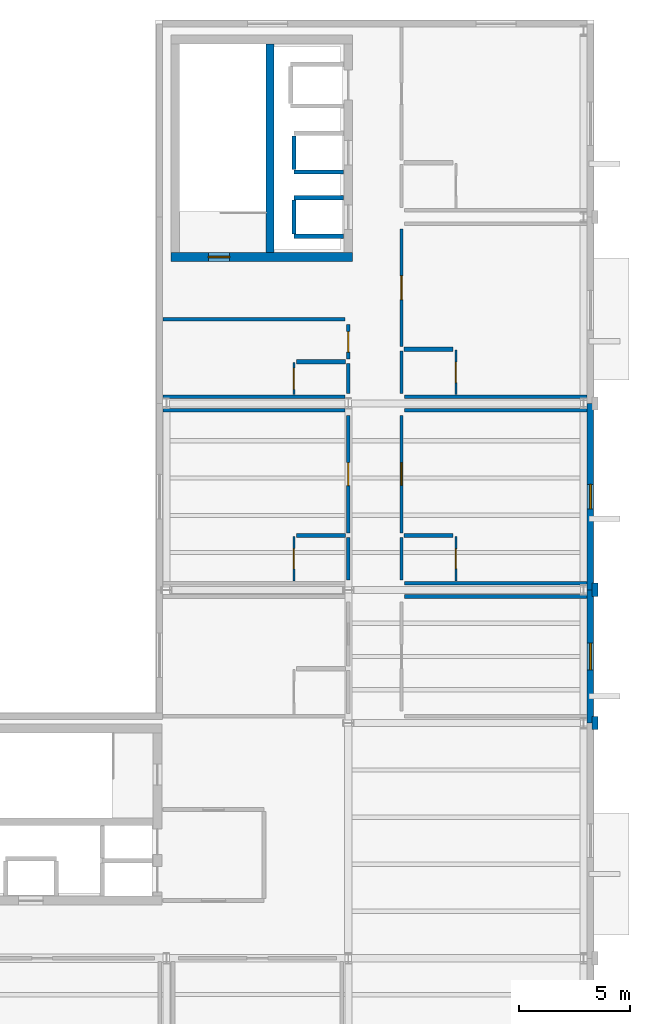
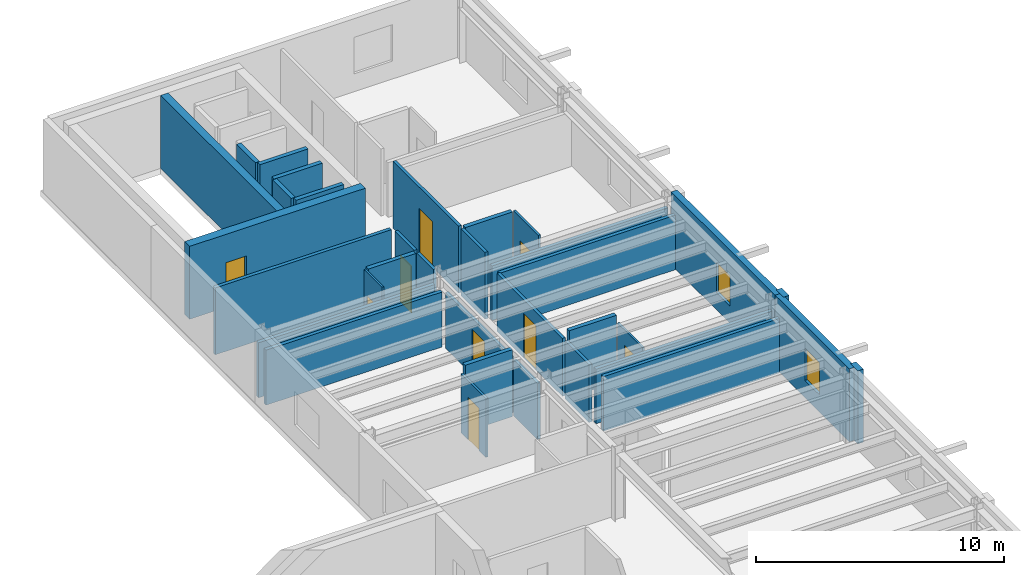
# One storey, part 16 of 19: 34 walls, 9 doors, 2 windows, 11 openings.
"""IFC4 building model written with IfcOpenShell, lengths in metres."""

from ifc_helpers import new_model, si_unit, direction, frame, frame_2d, origin, place, context, subcontext, project, spatial, rectangle, extrude, material, layer, layer_set, type_object, element, fill, save


model = new_model("IFC4")

# Units and contexts
model_context = context("Model", 3, precision=1e-05, world=origin(), true_north=direction((0.0, 1.0)))
body_context = subcontext(model_context, "Body", "Model", "MODEL_VIEW")
ifc_project = project(units=[si_unit("LENGTHUNIT", "METRE"), si_unit("AREAUNIT", "SQUARE_METRE"), si_unit("VOLUMEUNIT", "CUBIC_METRE"), si_unit("PLANEANGLEUNIT", "RADIAN"), si_unit("MASSUNIT", "GRAM", prefix="KILO")], contexts=[model_context])

# Site, building, storey
site_placement = place(None, origin())
site = spatial("IfcSite", under=ifc_project, at=site_placement, CompositionType="ELEMENT")
building_placement = place(site_placement, origin())
building = spatial("IfcBuilding", under=site, at=building_placement, Name="Sollismere Congress Hotel", CompositionType="ELEMENT")
storey_placement = place(building_placement, frame((0.0, 0.0, 44.60009765625)))
storey = spatial("IfcBuildingStorey", under=building, at=storey_placement, Name="L11", CompositionType="ELEMENT", Elevation=44.60009765625)

# Wall, opening, window
ifc_material_1 = material(Name="Colorado Buff Sandstone Rainscreen on Insulated Backup", Category="masonry")
ifc_layer_1 = layer(ifc_material_1, 0.284912109375, Name="Colorado Buff Sandstone Rainscreen on Insulated Backup")
ifc_layer_set_1 = layer_set([ifc_layer_1], Name="Colorado Buff Sandstone Rainscreen on Insulated Backup")
wall_type_1 = type_object("IfcWallType", Name="WL-EXT285", PredefinedType="STANDARD", material=ifc_layer_set_1)
wall_1_placement = place(storey_placement, frame((166.31005859375, 18.800048828125, 0.0), z_axis=(0.0, 0.0, 1.0), x_axis=(0.0, 1.0, 0.0)))
wall_1 = element("IfcWall", 1, at=wall_1_placement, inside=storey, type_object=wall_type_1, Name="Exterior wall EW-L11-1011", PredefinedType="STANDARD", context=body_context, shape_type="SweptSolid", body=[
    extrude(rectangle(XDim=6.0, YDim=0.284912109375, at=frame_2d((3.0, 0.0))), origin(), (0.0, 0.0, 1.0), 3.599853515625),
])
opening_1_placement = place(wall_1_placement, frame((2.39990234375, 0.0, 0.85009765625)))
opening_1 = element("IfcOpeningElement", 2, at=opening_1_placement, cuts=wall_1, Name="Opening W-L11-720", PredefinedType="OPENING", context=body_context, shape_type="SweptSolid", body=[
    extrude(rectangle(XDim=1.199951171875, YDim=1.60009765625, at=frame_2d((0.60009765625, 0.800048828125))), frame((0.0, 0.15234375, 0.0), z_axis=(0.0, -1.0, 0.0), x_axis=(1.0, 0.0, 0.0)), (0.0, 0.0, 1.0), 0.304931640625),
])
ifc_material_2 = material(Name="Thermally Broken Bronze Aluminum & Low-E Glass", Category="aluminium")
window_type_1 = type_object("IfcWindowType", Name="WN-P120x160", PartitioningType="SINGLE_PANEL", PredefinedType="WINDOW", material=ifc_material_2)
window_1_placement = place(opening_1_placement, origin())
window_1 = element("IfcWindow", 3, at=window_1_placement, inside=storey, type_object=window_type_1, Name="WIN-W-L11-720", OverallHeight=1.60009765625, OverallWidth=1.199951171875, PartitioningType="SINGLE_PANEL", PredefinedType="WINDOW", context=body_context, shape_type="SweptSolid", body=[
    extrude(rectangle(XDim=1.199951171875, YDim=1.60009765625, at=frame_2d((0.60009765625, 0.800048828125))), frame((0.0, 0.030029296875, 0.0), z_axis=(0.0, -1.0, 0.0), x_axis=(1.0, 0.0, 0.0)), (0.0, 0.0, 1.0), 0.06005859375),
])
fill(opening_1, window_1)

wall_2_placement = place(storey_placement, frame((166.31005859375, 24.800048828125, 0.0), z_axis=(0.0, 0.0, 1.0), x_axis=(0.0, 1.0, 0.0)))
wall_2 = element("IfcWall", 4, at=wall_2_placement, inside=storey, type_object=wall_type_1, Name="Exterior wall EW-L11-1013", PredefinedType="STANDARD", context=body_context, shape_type="SweptSolid", body=[
    extrude(rectangle(XDim=8.39990234375, YDim=0.284912109375, at=frame_2d((4.199951171875, 0.0))), origin(), (0.0, 0.0, 1.0), 3.599853515625),
])
opening_2_placement = place(wall_2_placement, frame((3.64990234375, 0.0, 0.85009765625)))
opening_2 = element("IfcOpeningElement", 5, at=opening_2_placement, cuts=wall_2, Name="Opening W-L11-721", PredefinedType="OPENING", context=body_context, shape_type="SweptSolid", body=[
    extrude(rectangle(XDim=1.10009765625, YDim=1.5, at=frame_2d((0.550048828125, 0.75))), frame((0.0, 0.15234375, 0.0), z_axis=(0.0, -1.0, 0.0), x_axis=(1.0, 0.0, 0.0)), (0.0, 0.0, 1.0), 0.304931640625),
])
window_type_2 = type_object("IfcWindowType", Name="WN-P110x150", PartitioningType="SINGLE_PANEL", PredefinedType="WINDOW", material=ifc_material_2)
window_2_placement = place(opening_2_placement, origin())
window_2 = element("IfcWindow", 6, at=window_2_placement, inside=storey, type_object=window_type_2, Name="WIN-W-L11-721", OverallHeight=1.5, OverallWidth=1.10009765625, PartitioningType="SINGLE_PANEL", PredefinedType="WINDOW", context=body_context, shape_type="SweptSolid", body=[
    extrude(rectangle(XDim=1.10009765625, YDim=1.5, at=frame_2d((0.550048828125, 0.75))), frame((0.0, 0.030029296875, 0.0), z_axis=(0.0, -1.0, 0.0), x_axis=(1.0, 0.0, 0.0)), (0.0, 0.0, 1.0), 0.06005859375),
])
fill(opening_2, window_2)

# Walls
ifc_material_3 = material(Name="Carved Travertine Pilaster & Frieze Assembly", Category="masonry")
ifc_layer_2 = layer(ifc_material_3, 0.260009765625, Name="Carved Travertine Pilaster & Frieze Assembly")
ifc_layer_set_2 = layer_set([ifc_layer_2], Name="Carved Travertine Pilaster & Frieze Assembly")
wall_type_2 = type_object("IfcWallType", Name="WL-PIL280", PredefinedType="ELEMENTEDWALL", material=ifc_layer_set_2)
for number, where, z_axis, x_axis, name in (
    (7, (166.52001953125, 18.5, 0.0), (0.0, 0.0, 1.0), (0.0, 1.0, 0.0), "Exterior wall EW-L11-1012"),
    (8, (166.52001953125, 24.5, 0.0), (0.0, 0.0, 1.0), (0.0, 1.0, 0.0), "Exterior wall EW-L11-1014"),
):
    element("IfcWall", number, at=place(storey_placement, frame(where, z_axis=z_axis, x_axis=x_axis)), inside=storey, type_object=wall_type_2, Name=name, PredefinedType="ELEMENTEDWALL", context=body_context, shape_type="SweptSolid", body=[
        extrude(rectangle(XDim=0.60009765625, YDim=0.260009765625, at=frame_2d((0.300048828125, 0.0))), origin(), (0.0, 0.0, 1.0), 3.599853515625),
    ])
ifc_material_4 = material(Name="Moisture-Resistant Shaft Gypsum Assembly")
ifc_layer_3 = layer(ifc_material_4, 0.199951171875, Name="Moisture-Resistant Shaft Gypsum Assembly")
ifc_layer_set_3 = layer_set([ifc_layer_3], Name="Moisture-Resistant Shaft Gypsum Assembly")
wall_type_3 = type_object("IfcWallType", Name="WL-PLM200", PredefinedType="PLUMBINGWALL", material=ifc_layer_set_3)
for number, where, z_axis, x_axis, name in (
    (9, (152.955078125, 40.72998046875, 0.0), (0.0, 0.0, 1.0), (1.0, 0.0, 0.0), "Interior wall IW-L11-0551"),
    (10, (152.955078125, 42.469970703125, 0.0), (0.0, 0.0, 1.0), (1.0, 0.0, 0.0), "Interior wall IW-L11-0552"),
):
    element("IfcWall", number, at=place(storey_placement, frame(where, z_axis=z_axis, x_axis=x_axis)), inside=storey, type_object=wall_type_3, Name=name, PredefinedType="PLUMBINGWALL", context=body_context, shape_type="SweptSolid", body=[
        extrude(rectangle(XDim=2.23291015625, YDim=0.199951171875, at=frame_2d((1.116455078125, 0.0))), origin(), (0.0, 0.0, 1.0), 3.2998046875),
    ])
wall_3_placement = place(storey_placement, frame((152.955078125, 40.842041015625, 0.0), z_axis=(0.0, 0.0, 1.0), x_axis=(0.0, 1.0, 0.0)))
element("IfcWall", 11, at=wall_3_placement, inside=storey, type_object=wall_type_3, Name="Interior wall IW-L11-0553", PredefinedType="PLUMBINGWALL", context=body_context, shape_type="SweptSolid", body=[
    extrude(rectangle(XDim=1.515869140625, YDim=0.199951171875, at=frame_2d((0.7578125, 0.0))), origin(), (0.0, 0.0, 1.0), 3.2998046875),
])
wall_4_placement = place(storey_placement, frame((152.955078125, 43.6298828125, 0.0), z_axis=(0.0, 0.0, 1.0), x_axis=(1.0, 0.0, 0.0)))
element("IfcWall", 12, at=wall_4_placement, inside=storey, type_object=wall_type_3, Name="Interior wall IW-L11-0554", PredefinedType="PLUMBINGWALL", context=body_context, shape_type="SweptSolid", body=[
    extrude(rectangle(XDim=2.23291015625, YDim=0.199951171875, at=frame_2d((1.116455078125, 0.0))), origin(), (0.0, 0.0, 1.0), 3.2998046875),
])
wall_5_placement = place(storey_placement, frame((152.955078125, 43.741943359375, 0.0), z_axis=(0.0, 0.0, 1.0), x_axis=(0.0, 1.0, 0.0)))
element("IfcWall", 13, at=wall_5_placement, inside=storey, type_object=wall_type_3, Name="Interior wall IW-L11-0556", PredefinedType="PLUMBINGWALL", context=body_context, shape_type="SweptSolid", body=[
    extrude(rectangle(XDim=1.51611328125, YDim=0.199951171875, at=frame_2d((0.758056640625, 0.0))), origin(), (0.0, 0.0, 1.0), 3.2998046875),
])
for number, where, z_axis, x_axis, name in (
    (14, (157.919921875, 27.25, 0.0), (0.0, 0.0, 1.0), (1.0, 0.0, 0.0), "Interior wall IW-L11-2951"),
    (15, (153.070068359375, 27.25, 0.0), (0.0, 0.0, 1.0), (1.0, 0.0, 0.0), "Interior wall IW-L11-2957"),
    (16, (157.919921875, 35.64990234375, 0.0), (0.0, 0.0, 1.0), (1.0, 0.0, 0.0), "Interior wall IW-L11-2963"),
    (17, (153.070068359375, 35.074951171875, 0.0), (0.0, 0.0, 1.0), (1.0, 0.0, 0.0), "Interior wall IW-L11-2969"),
):
    element("IfcWall", number, at=place(storey_placement, frame(where, z_axis=z_axis, x_axis=x_axis)), inside=storey, type_object=wall_type_3, Name=name, PredefinedType="PLUMBINGWALL", context=body_context, shape_type="SweptSolid", body=[
        extrude(rectangle(XDim=2.2099609375, YDim=0.199951171875, at=frame_2d((1.10498046875, 0.0))), origin(), (0.0, 0.0, 1.0), 3.2998046875),
    ])

# Wall, opening, door
ifc_material_5 = material(Name="Moisture-Resistant Gypsum Partition")
ifc_layer_4 = layer(ifc_material_5, 0.10009765625, Name="Moisture-Resistant Gypsum Partition")
ifc_layer_set_4 = layer_set([ifc_layer_4], Name="Moisture-Resistant Gypsum Partition")
wall_type_4 = type_object("IfcWallType", Name="WL-PRT100", PredefinedType="PARTITIONING", material=ifc_layer_set_4)
wall_6_placement = place(storey_placement, frame((160.25, 25.194580078125, 0.0), z_axis=(0.0, 0.0, 1.0), x_axis=(0.0, 1.0, 0.0)))
wall_6 = element("IfcWall", 18, at=wall_6_placement, inside=storey, type_object=wall_type_4, Name="Interior wall IW-L11-2952", PredefinedType="PARTITIONING", context=body_context, shape_type="SweptSolid", body=[
    extrude(rectangle(XDim=2.015380859375, YDim=0.10009765625, at=frame_2d((1.0078125, 0.0))), origin(), (0.0, 0.0, 1.0), 2.85791015625),
])
opening_3_placement = place(wall_6_placement, frame((0.568115234375, 0.0, 0.0)))
opening_3 = element("IfcOpeningElement", 19, at=opening_3_placement, cuts=wall_6, Name="Opening D-L11-1043", PredefinedType="OPENING", context=body_context, shape_type="SweptSolid", body=[
    extrude(rectangle(XDim=0.8798828125, YDim=2.10009765625, at=frame_2d((0.43994140625, 1.050048828125))), frame((0.0, 0.06005859375, 0.0), z_axis=(0.0, -1.0, 0.0), x_axis=(1.0, 0.0, 0.0)), (0.0, 0.0, 1.0), 0.1201171875),
])
ifc_material_6 = material(Name="Moisture-Sealed Timber Bathroom Door", Category="wood")
door_type_1 = type_object("IfcDoorType", Name="DR-BT01", OperationType="NOTDEFINED", PredefinedType="DOOR", material=ifc_material_6)
door_1_placement = place(opening_3_placement, origin())
door_1 = element("IfcDoor", 20, at=door_1_placement, inside=storey, type_object=door_type_1, Name="En-suite bathroom door D-L11-1043", OperationType="SINGLE_SWING_RIGHT", OverallHeight=2.10009765625, OverallWidth=0.8798828125, PredefinedType="DOOR", context=body_context, shape_type="SweptSolid", body=[
    extrude(rectangle(XDim=0.8798828125, YDim=2.10009765625, at=frame_2d((0.43994140625, 1.050048828125))), frame((0.0, 0.02490234375, 0.0), z_axis=(0.0, -1.0, 0.0), x_axis=(1.0, 0.0, 0.0)), (0.0, 0.0, 1.0), 0.050048828125),
])
fill(opening_3, door_1)

wall_7_placement = place(storey_placement, frame((152.949951171875, 25.194580078125, 0.0), z_axis=(0.0, 0.0, 1.0), x_axis=(0.0, 1.0, 0.0)))
wall_7 = element("IfcWall", 21, at=wall_7_placement, inside=storey, type_object=wall_type_4, Name="Interior wall IW-L11-2958", PredefinedType="PARTITIONING", context=body_context, shape_type="SweptSolid", body=[
    extrude(rectangle(XDim=2.015380859375, YDim=0.10009765625, at=frame_2d((1.0078125, 0.0))), origin(), (0.0, 0.0, 1.0), 2.907958984375),
])
opening_4_placement = place(wall_7_placement, frame((0.554931640625, 0.0, 0.0)))
opening_4 = element("IfcOpeningElement", 22, at=opening_4_placement, cuts=wall_7, Name="Opening D-L11-1045", PredefinedType="OPENING", context=body_context, shape_type="SweptSolid", body=[
    extrude(rectangle(XDim=0.905029296875, YDim=2.10009765625, at=frame_2d((0.45263671875, 1.050048828125))), frame((0.0, 0.06005859375, 0.0), z_axis=(0.0, -1.0, 0.0), x_axis=(1.0, 0.0, 0.0)), (0.0, 0.0, 1.0), 0.1201171875),
])
door_type_2 = type_object("IfcDoorType", Name="DR-BT02", OperationType="NOTDEFINED", PredefinedType="DOOR", material=ifc_material_6)
door_2_placement = place(opening_4_placement, origin())
door_2 = element("IfcDoor", 23, at=door_2_placement, inside=storey, type_object=door_type_2, Name="En-suite bathroom door D-L11-1045", OperationType="SINGLE_SWING_RIGHT", OverallHeight=2.10009765625, OverallWidth=0.905029296875, PredefinedType="DOOR", context=body_context, shape_type="SweptSolid", body=[
    extrude(rectangle(XDim=0.905029296875, YDim=2.10009765625, at=frame_2d((0.45263671875, 1.050048828125))), frame((0.0, 0.02490234375, 0.0), z_axis=(0.0, -1.0, 0.0), x_axis=(1.0, 0.0, 0.0)), (0.0, 0.0, 1.0), 0.050048828125),
])
fill(opening_4, door_2)

wall_8_placement = place(storey_placement, frame((160.25, 33.594482421875, 0.0), z_axis=(0.0, 0.0, 1.0), x_axis=(0.0, 1.0, 0.0)))
wall_8 = element("IfcWall", 24, at=wall_8_placement, inside=storey, type_object=wall_type_4, Name="Interior wall IW-L11-2964", PredefinedType="PARTITIONING", context=body_context, shape_type="SweptSolid", body=[
    extrude(rectangle(XDim=2.015625, YDim=0.10009765625, at=frame_2d((1.0078125, 0.0))), origin(), (0.0, 0.0, 1.0), 3.2998046875),
])
opening_5_placement = place(wall_8_placement, frame((0.54296875, 0.0, 0.0)))
opening_5 = element("IfcOpeningElement", 25, at=opening_5_placement, cuts=wall_8, Name="Opening D-L11-1047", PredefinedType="OPENING", context=body_context, shape_type="SweptSolid", body=[
    extrude(rectangle(XDim=0.929931640625, YDim=2.139892578125, at=frame_2d((0.46484375, 1.06982421875))), frame((0.0, 0.06005859375, 0.0), z_axis=(0.0, -1.0, 0.0), x_axis=(1.0, 0.0, 0.0)), (0.0, 0.0, 1.0), 0.1201171875),
])
door_type_3 = type_object("IfcDoorType", Name="DR-BT03", OperationType="NOTDEFINED", PredefinedType="DOOR", material=ifc_material_6)
door_3_placement = place(opening_5_placement, origin())
door_3 = element("IfcDoor", 26, at=door_3_placement, inside=storey, type_object=door_type_3, Name="En-suite bathroom door D-L11-1047", OperationType="SINGLE_SWING_RIGHT", OverallHeight=2.139892578125, OverallWidth=0.929931640625, PredefinedType="DOOR", context=body_context, shape_type="SweptSolid", body=[
    extrude(rectangle(XDim=0.929931640625, YDim=2.139892578125, at=frame_2d((0.46484375, 1.06982421875))), frame((0.0, 0.02490234375, 0.0), z_axis=(0.0, -1.0, 0.0), x_axis=(1.0, 0.0, 0.0)), (0.0, 0.0, 1.0), 0.050048828125),
])
fill(opening_5, door_3)

wall_9_placement = place(storey_placement, frame((152.949951171875, 33.594482421875, 0.0), z_axis=(0.0, 0.0, 1.0), x_axis=(0.0, 1.0, 0.0)))
wall_9 = element("IfcWall", 27, at=wall_9_placement, inside=storey, type_object=wall_type_4, Name="Interior wall IW-L11-2970", PredefinedType="PARTITIONING", context=body_context, shape_type="SweptSolid", body=[
    extrude(rectangle(XDim=1.4404296875, YDim=0.10009765625, at=frame_2d((0.72021484375, 0.0))), origin(), (0.0, 0.0, 1.0), 3.2998046875),
])
opening_6_placement = place(wall_9_placement, frame((0.242919921875, 0.0, 0.0)))
opening_6 = element("IfcOpeningElement", 28, at=opening_6_placement, cuts=wall_9, Name="Opening D-L11-1049", PredefinedType="OPENING", context=body_context, shape_type="SweptSolid", body=[
    extrude(rectangle(XDim=0.955078125, YDim=2.139892578125, at=frame_2d((0.4775390625, 1.06982421875))), frame((0.0, 0.06005859375, 0.0), z_axis=(0.0, -1.0, 0.0), x_axis=(1.0, 0.0, 0.0)), (0.0, 0.0, 1.0), 0.1201171875),
])
door_type_4 = type_object("IfcDoorType", Name="DR-BT04", OperationType="NOTDEFINED", PredefinedType="DOOR", material=ifc_material_6)
door_4_placement = place(opening_6_placement, origin())
door_4 = element("IfcDoor", 29, at=door_4_placement, inside=storey, type_object=door_type_4, Name="En-suite bathroom door D-L11-1049", OperationType="SINGLE_SWING_RIGHT", OverallHeight=2.139892578125, OverallWidth=0.955078125, PredefinedType="DOOR", context=body_context, shape_type="SweptSolid", body=[
    extrude(rectangle(XDim=0.955078125, YDim=2.139892578125, at=frame_2d((0.4775390625, 1.06982421875))), frame((0.0, 0.02490234375, 0.0), z_axis=(0.0, -1.0, 0.0), x_axis=(1.0, 0.0, 0.0)), (0.0, 0.0, 1.0), 0.050048828125),
])
fill(opening_6, door_4)

# Wall
ifc_material_7 = material(Name="Fire-Rated Gypsum Partition")
ifc_layer_5 = layer(ifc_material_7, 0.139892578125, Name="Fire-Rated Gypsum Partition")
ifc_layer_set_5 = layer_set([ifc_layer_5], Name="Fire-Rated Gypsum Partition")
wall_type_5 = type_object("IfcWallType", Name="WL-PRT140R", PredefinedType="PARTITIONING", material=ifc_layer_set_5)
wall_10_placement = place(storey_placement, frame((157.800048828125, 25.239990234375, 0.0), z_axis=(0.0, 0.0, 1.0), x_axis=(0.0, 1.0, 0.0)))
element("IfcWall", 30, at=wall_10_placement, inside=storey, type_object=wall_type_5, Name="Interior wall IW-L11-2947", PredefinedType="PARTITIONING", context=body_context, shape_type="SweptSolid", body=[
    extrude(rectangle(XDim=1.929931640625, YDim=0.139892578125, at=frame_2d((0.96484375, 0.0))), origin(), (0.0, 0.0, 1.0), 2.85791015625),
])

# Wall, opening, door
wall_11_placement = place(storey_placement, frame((157.800048828125, 27.3701171875, 0.0), z_axis=(0.0, 0.0, 1.0), x_axis=(0.0, 1.0, 0.0)))
wall_11 = element("IfcWall", 31, at=wall_11_placement, inside=storey, type_object=wall_type_5, Name="Interior wall IW-L11-2948", PredefinedType="PARTITIONING", context=body_context, shape_type="SweptSolid", body=[
    extrude(rectangle(XDim=5.289794921875, YDim=0.139892578125, at=frame_2d((2.64501953125, 0.0))), origin(), (0.0, 0.0, 1.0), 2.85791015625),
])
opening_7_placement = place(wall_11_placement, frame((2.139892578125, 0.0, 0.0)))
opening_7 = element("IfcOpeningElement", 32, at=opening_7_placement, cuts=wall_11, Name="Opening D-L11-1042", PredefinedType="OPENING", context=body_context, shape_type="SweptSolid", body=[
    extrude(rectangle(XDim=1.010009765625, YDim=2.199951171875, at=frame_2d((0.5048828125, 1.10009765625))), frame((0.0, 0.079833984375, 0.0), z_axis=(0.0, -1.0, 0.0), x_axis=(1.0, 0.0, 0.0)), (0.0, 0.0, 1.0), 0.159912109375),
])
ifc_material_8 = material(Name="Solid-Core Acoustic Walnut Guestroom Entry Door")
door_type_5 = type_object("IfcDoorType", Name="DR-KY04", OperationType="NOTDEFINED", PredefinedType="DOOR", material=ifc_material_8)
door_5_placement = place(opening_7_placement, origin())
door_5 = element("IfcDoor", 33, at=door_5_placement, inside=storey, type_object=door_type_5, Name="Hotel room entry door D-L11-1042", OperationType="SINGLE_SWING_LEFT", OverallHeight=2.199951171875, OverallWidth=1.010009765625, PredefinedType="DOOR", context=body_context, shape_type="SweptSolid", body=[
    extrude(rectangle(XDim=1.010009765625, YDim=2.199951171875, at=frame_2d((0.5048828125, 1.10009765625))), frame((0.0, 0.02490234375, 0.0), z_axis=(0.0, -1.0, 0.0), x_axis=(1.0, 0.0, 0.0)), (0.0, 0.0, 1.0), 0.050048828125),
])
fill(opening_7, door_5)

# Wall
wall_12_placement = place(storey_placement, frame((155.39990234375, 25.239990234375, 0.0), z_axis=(0.0, 0.0, 1.0), x_axis=(0.0, 1.0, 0.0)))
element("IfcWall", 34, at=wall_12_placement, inside=storey, type_object=wall_type_5, Name="Interior wall IW-L11-2953", PredefinedType="PARTITIONING", context=body_context, shape_type="SweptSolid", body=[
    extrude(rectangle(XDim=1.929931640625, YDim=0.139892578125, at=frame_2d((0.96484375, 0.0))), origin(), (0.0, 0.0, 1.0), 2.77392578125),
])

# Wall, opening, door
wall_13_placement = place(storey_placement, frame((155.39990234375, 27.3701171875, 0.0), z_axis=(0.0, 0.0, 1.0), x_axis=(0.0, 1.0, 0.0)))
wall_13 = element("IfcWall", 35, at=wall_13_placement, inside=storey, type_object=wall_type_5, Name="Interior wall IW-L11-2954", PredefinedType="PARTITIONING", context=body_context, shape_type="SweptSolid", body=[
    extrude(rectangle(XDim=5.289794921875, YDim=0.139892578125, at=frame_2d((2.64501953125, 0.0))), origin(), (0.0, 0.0, 1.0), 2.77392578125),
])
opening_8_placement = place(wall_13_placement, frame((2.125, 0.0, 0.0)))
opening_8 = element("IfcOpeningElement", 36, at=opening_8_placement, cuts=wall_13, Name="Opening D-L11-1044", PredefinedType="OPENING", context=body_context, shape_type="SweptSolid", body=[
    extrude(rectangle(XDim=1.0400390625, YDim=2.25, at=frame_2d((0.52001953125, 1.125))), frame((0.0, 0.079833984375, 0.0), z_axis=(0.0, -1.0, 0.0), x_axis=(1.0, 0.0, 0.0)), (0.0, 0.0, 1.0), 0.159912109375),
])
door_type_6 = type_object("IfcDoorType", Name="DR-KY05", OperationType="NOTDEFINED", PredefinedType="DOOR", material=ifc_material_8)
door_6_placement = place(opening_8_placement, origin())
door_6 = element("IfcDoor", 37, at=door_6_placement, inside=storey, type_object=door_type_6, Name="Hotel room entry door D-L11-1044", OperationType="SINGLE_SWING_LEFT", OverallHeight=2.25, OverallWidth=1.0400390625, PredefinedType="DOOR", context=body_context, shape_type="SweptSolid", body=[
    extrude(rectangle(XDim=1.0400390625, YDim=2.25, at=frame_2d((0.52001953125, 1.125))), frame((0.0, 0.02490234375, 0.0), z_axis=(0.0, -1.0, 0.0), x_axis=(1.0, 0.0, 0.0)), (0.0, 0.0, 1.0), 0.050048828125),
])
fill(opening_8, door_6)

# Wall
wall_14_placement = place(storey_placement, frame((157.800048828125, 33.639892578125, 0.0), z_axis=(0.0, 0.0, 1.0), x_axis=(0.0, 1.0, 0.0)))
element("IfcWall", 38, at=wall_14_placement, inside=storey, type_object=wall_type_5, Name="Interior wall IW-L11-2959", PredefinedType="PARTITIONING", context=body_context, shape_type="SweptSolid", body=[
    extrude(rectangle(XDim=1.93017578125, YDim=0.139892578125, at=frame_2d((0.965087890625, 0.0))), origin(), (0.0, 0.0, 1.0), 3.2998046875),
])

# Wall, opening, door
wall_15_placement = place(storey_placement, frame((157.800048828125, 35.77001953125, 0.0), z_axis=(0.0, 0.0, 1.0), x_axis=(0.0, 1.0, 0.0)))
wall_15 = element("IfcWall", 39, at=wall_15_placement, inside=storey, type_object=wall_type_5, Name="Interior wall IW-L11-2960", PredefinedType="PARTITIONING", context=body_context, shape_type="SweptSolid", body=[
    extrude(rectangle(XDim=5.2900390625, YDim=0.139892578125, at=frame_2d((2.64501953125, 0.0))), origin(), (0.0, 0.0, 1.0), 3.2998046875),
])
opening_9_placement = place(wall_15_placement, frame((2.110107421875, 0.0, 0.0)))
opening_9 = element("IfcOpeningElement", 40, at=opening_9_placement, cuts=wall_15, Name="Opening D-L11-1046", PredefinedType="OPENING", context=body_context, shape_type="SweptSolid", body=[
    extrude(rectangle(XDim=1.070068359375, YDim=2.25, at=frame_2d((0.53515625, 1.125))), frame((0.0, 0.079833984375, 0.0), z_axis=(0.0, -1.0, 0.0), x_axis=(1.0, 0.0, 0.0)), (0.0, 0.0, 1.0), 0.159912109375),
])
door_type_7 = type_object("IfcDoorType", Name="DR-KY06", OperationType="NOTDEFINED", PredefinedType="DOOR", material=ifc_material_8)
door_7_placement = place(opening_9_placement, origin())
door_7 = element("IfcDoor", 41, at=door_7_placement, inside=storey, type_object=door_type_7, Name="Hotel room entry door D-L11-1046", OperationType="SINGLE_SWING_LEFT", OverallHeight=2.25, OverallWidth=1.070068359375, PredefinedType="DOOR", context=body_context, shape_type="SweptSolid", body=[
    extrude(rectangle(XDim=1.070068359375, YDim=2.25, at=frame_2d((0.53515625, 1.125))), frame((0.0, 0.02490234375, 0.0), z_axis=(0.0, -1.0, 0.0), x_axis=(1.0, 0.0, 0.0)), (0.0, 0.0, 1.0), 0.050048828125),
])
fill(opening_9, door_7)

# Wall
wall_16_placement = place(storey_placement, frame((155.39990234375, 33.639892578125, 0.0), z_axis=(0.0, 0.0, 1.0), x_axis=(0.0, 1.0, 0.0)))
element("IfcWall", 42, at=wall_16_placement, inside=storey, type_object=wall_type_5, Name="Interior wall IW-L11-2965", PredefinedType="PARTITIONING", context=body_context, shape_type="SweptSolid", body=[
    extrude(rectangle(XDim=1.355224609375, YDim=0.139892578125, at=frame_2d((0.677734375, 0.0))), origin(), (0.0, 0.0, 1.0), 3.2998046875),
])

# Wall, opening, door
wall_17_placement = place(storey_placement, frame((155.39990234375, 35.195068359375, 0.0), z_axis=(0.0, 0.0, 1.0), x_axis=(0.0, 1.0, 0.0)))
wall_17 = element("IfcWall", 43, at=wall_17_placement, inside=storey, type_object=wall_type_5, Name="Interior wall IW-L11-2966", PredefinedType="PARTITIONING", context=body_context, shape_type="SweptSolid", body=[
    extrude(rectangle(XDim=1.56494140625, YDim=0.139892578125, at=frame_2d((0.782470703125, 0.0))), origin(), (0.0, 0.0, 1.0), 3.2998046875),
])
opening_10_placement = place(wall_17_placement, frame((0.322021484375, 0.0, 0.0)))
opening_10 = element("IfcOpeningElement", 44, at=opening_10_placement, cuts=wall_17, Name="Opening D-L11-1048", PredefinedType="OPENING", context=body_context, shape_type="SweptSolid", body=[
    extrude(rectangle(XDim=0.919921875, YDim=2.300048828125, at=frame_2d((0.4599609375, 1.14990234375))), frame((0.0, 0.079833984375, 0.0), z_axis=(0.0, -1.0, 0.0), x_axis=(1.0, 0.0, 0.0)), (0.0, 0.0, 1.0), 0.159912109375),
])
door_type_8 = type_object("IfcDoorType", Name="DR-KY07", OperationType="NOTDEFINED", PredefinedType="DOOR", material=ifc_material_8)
door_8_placement = place(opening_10_placement, origin())
door_8 = element("IfcDoor", 45, at=door_8_placement, inside=storey, type_object=door_type_8, Name="Hotel room entry door D-L11-1048", OperationType="SINGLE_SWING_LEFT", OverallHeight=2.300048828125, OverallWidth=0.919921875, PredefinedType="DOOR", context=body_context, shape_type="SweptSolid", body=[
    extrude(rectangle(XDim=0.919921875, YDim=2.300048828125, at=frame_2d((0.4599609375, 1.14990234375))), frame((0.0, 0.02490234375, 0.0), z_axis=(0.0, -1.0, 0.0), x_axis=(1.0, 0.0, 0.0)), (0.0, 0.0, 1.0), 0.050048828125),
])
fill(opening_10, door_8)

# Walls
ifc_material_9 = material(Name="Fire-Rated Acoustic Gypsum Partition")
ifc_layer_6 = layer(ifc_material_9, 0.1650390625, Name="Fire-Rated Acoustic Gypsum Partition")
ifc_layer_set_6 = layer_set([ifc_layer_6], Name="Fire-Rated Acoustic Gypsum Partition")
wall_type_6 = type_object("IfcWallType", Name="WL-PRT165R", PredefinedType="PARTITIONING", material=ifc_layer_set_6)
for number, where, z_axis, x_axis, name in (
    (46, (157.93994140625, 25.10009765625, 0.0), (0.0, 0.0, 1.0), (1.0, 0.0, 0.0), "Interior wall IW-L11-2949"),
    (47, (157.93994140625, 32.89990234375, 0.0), (0.0, 0.0, 1.0), (1.0, 0.0, 0.0), "Interior wall IW-L11-2950"),
):
    element("IfcWall", number, at=place(storey_placement, frame(where, z_axis=z_axis, x_axis=x_axis)), inside=storey, type_object=wall_type_6, Name=name, PredefinedType="PARTITIONING", context=body_context, shape_type="SweptSolid", body=[
        extrude(rectangle(XDim=8.212646484375, YDim=0.1650390625, at=frame_2d((4.1064453125, 0.0))), origin(), (0.0, 0.0, 1.0), 2.68994140625),
    ])
wall_18_placement = place(storey_placement, frame((147.047607421875, 32.89990234375, 0.0), z_axis=(0.0, 0.0, 1.0), x_axis=(1.0, 0.0, 0.0)))
element("IfcWall", 48, at=wall_18_placement, inside=storey, type_object=wall_type_6, Name="Interior wall IW-L11-2956", PredefinedType="PARTITIONING", context=body_context, shape_type="SweptSolid", body=[
    extrude(rectangle(XDim=8.21240234375, YDim=0.1650390625, at=frame_2d((4.106201171875, 0.0))), origin(), (0.0, 0.0, 1.0), 2.712890625),
])
wall_19_placement = place(storey_placement, frame((157.93994140625, 33.5, 0.0), z_axis=(0.0, 0.0, 1.0), x_axis=(1.0, 0.0, 0.0)))
element("IfcWall", 49, at=wall_19_placement, inside=storey, type_object=wall_type_6, Name="Interior wall IW-L11-2961", PredefinedType="PARTITIONING", context=body_context, shape_type="SweptSolid", body=[
    extrude(rectangle(XDim=8.212646484375, YDim=0.1650390625, at=frame_2d((4.1064453125, 0.0))), origin(), (0.0, 0.0, 1.0), 2.68994140625),
])
wall_20_placement = place(storey_placement, frame((147.047607421875, 33.5, 0.0), z_axis=(0.0, 0.0, 1.0), x_axis=(1.0, 0.0, 0.0)))
element("IfcWall", 50, at=wall_20_placement, inside=storey, type_object=wall_type_6, Name="Interior wall IW-L11-2967", PredefinedType="PARTITIONING", context=body_context, shape_type="SweptSolid", body=[
    extrude(rectangle(XDim=8.21240234375, YDim=0.1650390625, at=frame_2d((4.106201171875, 0.0))), origin(), (0.0, 0.0, 1.0), 2.712890625),
])
wall_21_placement = place(storey_placement, frame((147.047607421875, 37.0, 0.0), z_axis=(0.0, 0.0, 1.0), x_axis=(1.0, 0.0, 0.0)))
element("IfcWall", 51, at=wall_21_placement, inside=storey, type_object=wall_type_6, Name="Interior wall IW-L11-2968", PredefinedType="PARTITIONING", context=body_context, shape_type="SweptSolid", body=[
    extrude(rectangle(XDim=8.21240234375, YDim=0.1650390625, at=frame_2d((4.106201171875, 0.0))), origin(), (0.0, 0.0, 1.0), 3.2998046875),
])
wall_22_placement = place(storey_placement, frame((157.93994140625, 24.5, 0.0), z_axis=(0.0, 0.0, 1.0), x_axis=(1.0, 0.0, 0.0)))
element("IfcWall", 52, at=wall_22_placement, inside=storey, type_object=wall_type_6, Name="Interior wall IW-L11-2990", PredefinedType="PARTITIONING", context=body_context, shape_type="SweptSolid", body=[
    extrude(rectangle(XDim=8.212646484375, YDim=0.1650390625, at=frame_2d((4.1064453125, 0.0))), origin(), (0.0, 0.0, 1.0), 2.68994140625),
])
ifc_material_10 = material(Name="Concrete C50/60", Category="concrete")
ifc_layer_7 = layer(ifc_material_10, 0.35009765625, Name="Concrete C50/60")
ifc_layer_set_7 = layer_set([ifc_layer_7], Name="Concrete C50/60")
wall_type_7 = type_object("IfcWallType", Name="WL-SHR350", PredefinedType="SHEAR", material=ifc_layer_set_7)
wall_23_placement = place(storey_placement, frame((151.875, 40.0, 0.0), z_axis=(0.0, 0.0, 1.0), x_axis=(0.0, 1.0, 0.0)))
element("IfcWall", 53, at=wall_23_placement, inside=storey, type_object=wall_type_7, Name="Interior wall IW-L11-0550", PredefinedType="SHEAR", context=body_context, shape_type="SweptSolid", body=[
    extrude(rectangle(XDim=9.39990234375, YDim=0.35009765625, at=frame_2d((4.699951171875, 0.0))), origin(), (0.0, 0.0, 1.0), 3.599853515625),
])

# Wall, opening, door
ifc_layer_8 = layer(ifc_material_10, 0.39990234375, Name="Concrete C50/60")
ifc_layer_set_8 = layer_set([ifc_layer_8], Name="Concrete C50/60")
wall_type_8 = type_object("IfcWallType", Name="WL-SHR400", PredefinedType="SHEAR", material=ifc_layer_set_8)
wall_24_placement = place(storey_placement, frame((147.39990234375, 39.800048828125, 0.0), z_axis=(0.0, 0.0, 1.0), x_axis=(1.0, 0.0, 0.0)))
wall_24 = element("IfcWall", 54, at=wall_24_placement, inside=storey, type_object=wall_type_8, Name="Interior wall IW-L11-0546", PredefinedType="SHEAR", context=body_context, shape_type="SweptSolid", body=[
    extrude(rectangle(XDim=8.2001953125, YDim=0.39990234375, at=frame_2d((4.10009765625, 0.0))), origin(), (0.0, 0.0, 1.0), 3.599853515625),
])
opening_11_placement = place(wall_24_placement, frame((1.699951171875, 0.0, 0.0)))
opening_11 = element("IfcOpeningElement", 55, at=opening_11_placement, cuts=wall_24, Name="Opening D-ST-03-L11", PredefinedType="OPENING", context=body_context, shape_type="SweptSolid", body=[
    extrude(rectangle(XDim=0.949951171875, YDim=2.199951171875, at=frame_2d((0.47509765625, 1.10009765625))), frame((0.0, 0.2099609375, 0.0), z_axis=(0.0, -1.0, 0.0), x_axis=(1.0, 0.0, 0.0)), (0.0, 0.0, 1.0), 0.419921875),
])
ifc_material_11 = material(Name="Fire-Rated Insulated Steel Door", Category="steel")
door_type_9 = type_object("IfcDoorType", Name="DR-FD90", OperationType="NOTDEFINED", PredefinedType="DOOR", material=ifc_material_11)
door_9_placement = place(opening_11_placement, origin())
door_9 = element("IfcDoor", 56, at=door_9_placement, inside=storey, type_object=door_type_9, Name="Exit stair fire door D-ST-03-L11", OperationType="SINGLE_SWING_LEFT", OverallHeight=2.199951171875, OverallWidth=0.949951171875, PredefinedType="DOOR", context=body_context, shape_type="SweptSolid", body=[
    extrude(rectangle(XDim=0.949951171875, YDim=2.199951171875, at=frame_2d((0.47509765625, 1.10009765625))), frame((0.0, 0.02490234375, 0.0), z_axis=(0.0, -1.0, 0.0), x_axis=(1.0, 0.0, 0.0)), (0.0, 0.0, 1.0), 0.050048828125),
])
fill(opening_11, door_9)

save(model, "model.ifc")
